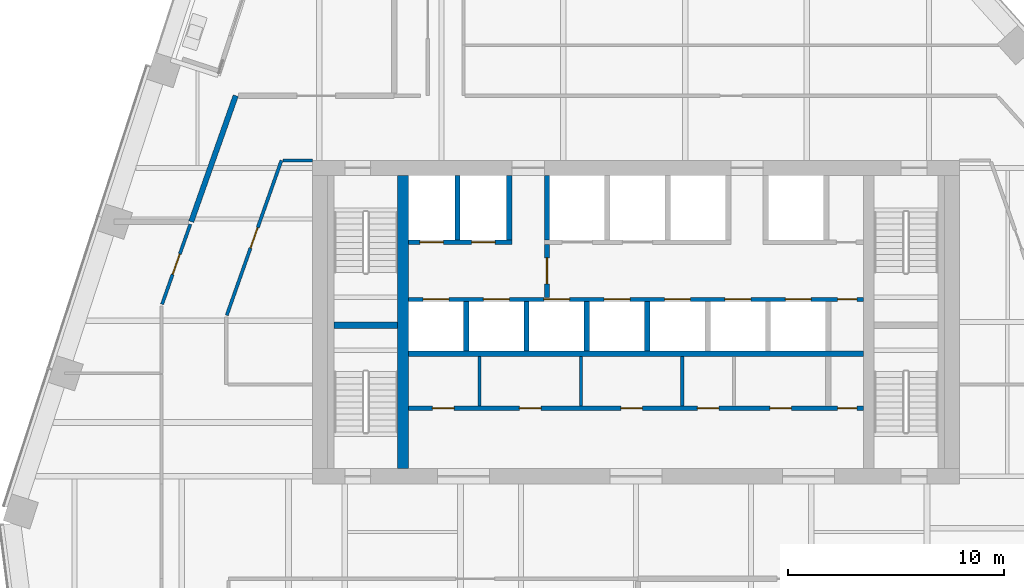
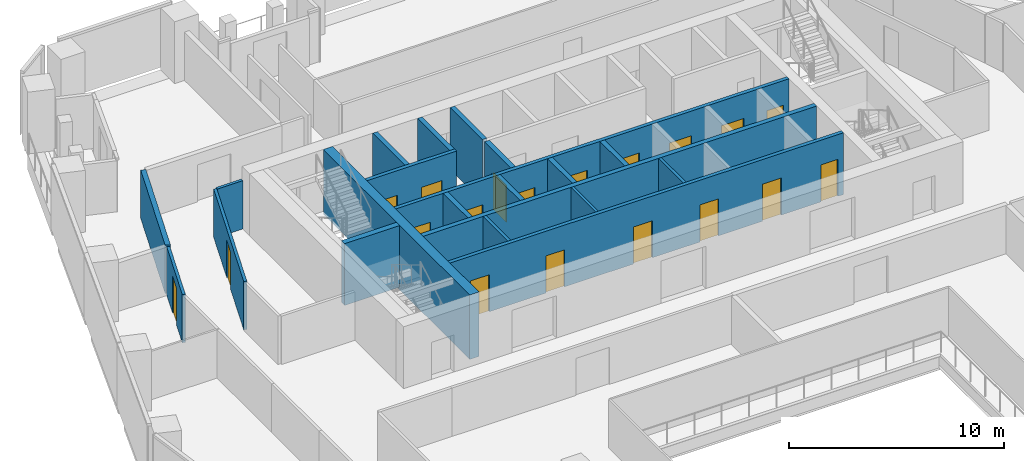
# One storey, part 20 of 26: 21 walls, 19 doors, 19 openings.
"""IFC4 building model written with IfcOpenShell, lengths in metres."""

from ifc_helpers import new_model, si_unit, direction, frame, frame_2d, origin, place, context, subcontext, project, spatial, rectangle, extrude, material, layer, layer_set, type_object, element, fill, save


model = new_model("IFC4")

# Units and contexts
model_context = context("Model", 3, precision=1e-05, world=origin(), true_north=direction((0.0, 1.0)))
body_context = subcontext(model_context, "Body", "Model", "MODEL_VIEW")
ifc_project = project(units=[si_unit("LENGTHUNIT", "METRE"), si_unit("AREAUNIT", "SQUARE_METRE"), si_unit("VOLUMEUNIT", "CUBIC_METRE"), si_unit("PLANEANGLEUNIT", "RADIAN"), si_unit("MASSUNIT", "GRAM", prefix="KILO")], contexts=[model_context])

# Site, building, storey
site_placement = place(None, origin())
site = spatial("IfcSite", under=ifc_project, at=site_placement, CompositionType="ELEMENT")
building_placement = place(site_placement, origin())
building = spatial("IfcBuilding", under=site, at=building_placement, Name="Isthmus Gate Tower", CompositionType="ELEMENT")
storey_placement = place(building_placement, frame((0.0, 0.0, 189.050048828125)))
storey = spatial("IfcBuildingStorey", under=building, at=storey_placement, Name="L47", CompositionType="ELEMENT", Elevation=189.050048828125)

# Wall
ifc_material_1 = material(Name="Double-leaf acoustic stud wall, fire-rated", Category="gypsum")
ifc_layer_1 = layer(ifc_material_1, 0.25)
ifc_layer_set_1 = layer_set([ifc_layer_1], Name="ACOUSTIC WALL 250 60 MIN")
wall_type_1 = type_object("IfcWallType", Name="ACOUSTIC WALL 250 60 MIN", PredefinedType="PARTITIONING", material=ifc_layer_set_1)
wall_1_placement = place(storey_placement, frame((-20.6240234375, 12.156005859375, 0.0), z_axis=(0.0, 0.0, 1.0), x_axis=(0.332877813913, 0.942969968241, 0.0)))
element("IfcWall", 1, at=wall_1_placement, inside=storey, type_object=wall_type_1, Name="L47 Acoustic Wall 250 60 Min", PredefinedType="PARTITIONING", context=body_context, shape_type="SweptSolid", body=[
    extrude(rectangle(XDim=6.197509765625, YDim=0.25, at=frame_2d((3.0986328125, 0.0))), origin(), (0.0, 0.0, 1.0), 2.7412109375),
])

# Wall, opening, door
ifc_material_2 = material(Name="Gypsum board on steel studs, fire-rated", Category="steel")
ifc_layer_2 = layer(ifc_material_2, 0.14990234375)
ifc_layer_set_2 = layer_set([ifc_layer_2], Name="CORRIDOR WALL 150 60 MIN")
wall_type_2 = type_object("IfcWallType", Name="CORRIDOR WALL 150 60 MIN", PredefinedType="PARTITIONING", material=ifc_layer_set_2)
wall_2_placement = place(storey_placement, frame((-16.43896484375, 15.0, 0.0), z_axis=(0.0, 0.0, 1.0), x_axis=(-0.332796656951, -0.942998613531, 0.0)))
wall_2 = element("IfcWall", 2, at=wall_2_placement, inside=storey, type_object=wall_type_2, Name="L47 Corridor Wall 150 60 Min", PredefinedType="PARTITIONING", context=body_context, shape_type="SweptSolid", body=[
    extrude(rectangle(XDim=7.62060546875, YDim=0.14990234375, at=frame_2d((3.810302734375, 0.0))), origin(), (0.0, 0.0, 1.0), 2.7412109375),
])
opening_1_placement = place(wall_2_placement, frame((3.310302734375, 0.0, 0.0)))
opening_1 = element("IfcOpeningElement", 3, at=opening_1_placement, cuts=wall_2, Name="Opening DT-T4B-04", PredefinedType="OPENING", context=body_context, shape_type="SweptSolid", body=[
    extrude(rectangle(XDim=1.0, YDim=2.10009765625, at=frame_2d((0.5, 1.050048828125))), frame((0.0, 0.0849609375, 0.0), z_axis=(0.0, -1.0, 0.0), x_axis=(1.0, 0.0, 0.0)), (0.0, 0.0, 1.0), 0.169921875),
])
ifc_material_3 = material(Name="Solid core timber door leaf, fire-rated", Category="wood")
door_type_1 = type_object("IfcDoorType", Name="FIRE DOOR ROOM 1000 X 2100 60 MIN", OperationType="SINGLE_SWING_LEFT", PredefinedType="DOOR", material=ifc_material_3)
door_1_placement = place(opening_1_placement, origin())
door_1 = element("IfcDoor", 4, at=door_1_placement, inside=storey, type_object=door_type_1, Name="L47 room door", OperationType="SINGLE_SWING_RIGHT", OverallHeight=2.10009765625, OverallWidth=1.0, PredefinedType="DOOR", context=body_context, shape_type="SweptSolid", body=[
    extrude(rectangle(XDim=1.0, YDim=2.10009765625, at=frame_2d((0.5, 1.050048828125))), frame((0.0, 0.02490234375, 0.0), z_axis=(0.0, -1.0, 0.0), x_axis=(1.0, 0.0, 0.0)), (0.0, 0.0, 1.0), 0.050048828125),
])
fill(opening_1, door_1)

# Wall
wall_3_placement = place(storey_placement, frame((-15.0, 15.0, 0.0), z_axis=(0.0, 0.0, 1.0), x_axis=(-1.0, 0.0, 0.0)))
element("IfcWall", 5, at=wall_3_placement, inside=storey, type_object=wall_type_2, Name="L47 Corridor Wall 150 60 Min", PredefinedType="PARTITIONING", context=body_context, shape_type="SweptSolid", body=[
    extrude(rectangle(XDim=1.364013671875, YDim=0.14990234375, at=frame_2d((0.68212890625, 0.0))), origin(), (0.0, 0.0, 1.0), 2.7412109375),
])

# Wall, opening, door
wall_4_placement = place(storey_placement, frame((-21.97509765625, 8.32763671875, 0.0), z_axis=(0.0, 0.0, 1.0), x_axis=(0.332820117735, 0.942990333583, 0.0)))
wall_4 = element("IfcWall", 6, at=wall_4_placement, inside=storey, type_object=wall_type_2, Name="L47 Corridor Wall 150 60 Min", PredefinedType="PARTITIONING", context=body_context, shape_type="SweptSolid", body=[
    extrude(rectangle(XDim=3.934814453125, YDim=0.14990234375, at=frame_2d((1.96728515625, 0.0))), origin(), (0.0, 0.0, 1.0), 2.7412109375),
])
opening_2_placement = place(wall_4_placement, frame((1.46728515625, 0.0, 0.0)))
opening_2 = element("IfcOpeningElement", 7, at=opening_2_placement, cuts=wall_4, Name="Opening DT-T4B-06", PredefinedType="OPENING", context=body_context, shape_type="SweptSolid", body=[
    extrude(rectangle(XDim=1.0, YDim=2.10009765625, at=frame_2d((0.5, 1.050048828125))), frame((0.0, 0.0849609375, 0.0), z_axis=(0.0, -1.0, 0.0), x_axis=(1.0, 0.0, 0.0)), (0.0, 0.0, 1.0), 0.169921875),
])
door_2_placement = place(opening_2_placement, origin())
door_2 = element("IfcDoor", 8, at=door_2_placement, inside=storey, type_object=door_type_1, Name="L47 room door", OperationType="SINGLE_SWING_RIGHT", OverallHeight=2.10009765625, OverallWidth=1.0, PredefinedType="DOOR", context=body_context, shape_type="SweptSolid", body=[
    extrude(rectangle(XDim=1.0, YDim=2.10009765625, at=frame_2d((0.5, 1.050048828125))), frame((0.0, 0.02490234375, 0.0), z_axis=(0.0, -1.0, 0.0), x_axis=(1.0, 0.0, 0.0)), (0.0, 0.0, 1.0), 0.050048828125),
])
fill(opening_2, door_2)

ifc_material_4 = material(Name="Fire-rated blockwork masonry, 15 MPa", Category="masonry")
ifc_layer_3 = layer(ifc_material_4, 0.25)
ifc_layer_set_3 = layer_set([ifc_layer_3], Name="FIRE-FIGHTING LOBBY WALL 250 90 MIN")
wall_type_3 = type_object("IfcWallType", Name="FIRE-FIGHTING LOBBY WALL 250 90 MIN", PredefinedType="PARTITIONING", material=ifc_layer_set_3)
wall_5_placement = place(storey_placement, frame((-4.125, 8.64990234375, 0.0), z_axis=(0.0, 0.0, 1.0), x_axis=(0.0, 1.0, 0.0)))
wall_5 = element("IfcWall", 9, at=wall_5_placement, inside=storey, type_object=wall_type_3, Name="L47 FIRE-FIGHTING LOBBY WALL 250 90 MIN", PredefinedType="PARTITIONING", context=body_context, shape_type="SweptSolid", body=[
    extrude(rectangle(XDim=2.4501953125, YDim=0.25, at=frame_2d((1.22509765625, 0.0))), origin(), (0.0, 0.0, 1.0), 3.5),
])
opening_3_placement = place(wall_5_placement, frame((0.625, 0.0, 0.0)))
opening_3 = element("IfcOpeningElement", 10, at=opening_3_placement, cuts=wall_5, Name="Opening DC-A10-01", PredefinedType="OPENING", context=body_context, shape_type="SweptSolid", body=[
    extrude(rectangle(XDim=1.199951171875, YDim=2.10009765625, at=frame_2d((0.60009765625, 1.050048828125))), frame((0.0, 0.135009765625, 0.0), z_axis=(0.0, -1.0, 0.0), x_axis=(1.0, 0.0, 0.0)), (0.0, 0.0, 1.0), 0.27001953125),
])
ifc_material_5 = material(Name="Steel door leaf, fire-rated", Category="steel")
door_type_2 = type_object("IfcDoorType", Name="LOBBY FIRE DOOR 1200 X 2100 90 MIN", OperationType="DOUBLE_DOOR_SINGLE_SWING", PredefinedType="DOOR", material=ifc_material_5)
door_3_placement = place(opening_3_placement, origin())
door_3 = element("IfcDoor", 11, at=door_3_placement, inside=storey, type_object=door_type_2, Name="Fire-fighting Lobby Door", OperationType="SINGLE_SWING_LEFT", OverallHeight=2.10009765625, OverallWidth=1.199951171875, PredefinedType="DOOR", context=body_context, shape_type="SweptSolid", body=[
    extrude(rectangle(XDim=1.199951171875, YDim=2.10009765625, at=frame_2d((0.60009765625, 1.050048828125))), frame((0.0, 0.02490234375, 0.0), z_axis=(0.0, -1.0, 0.0), x_axis=(1.0, 0.0, 0.0)), (0.0, 0.0, 1.0), 0.050048828125),
])
fill(opening_3, door_3)

# Walls
ifc_material_6 = material(Name="Concrete f'c 60 MPa", Category="concrete")
ifc_layer_4 = layer(ifc_material_6, 0.5)
ifc_layer_set_4 = layer_set([ifc_layer_4], Name="RC CORE SPINE WALL 500 F'C 60")
wall_type_4 = type_object("IfcWallType", Name="RC CORE SPINE WALL 500 F'C 60", PredefinedType="SOLIDWALL", material=ifc_layer_set_4)
wall_6_placement = place(storey_placement, frame((-10.800048828125, 0.699951171875, -0.150146484375), z_axis=(0.0, 0.0, 1.0), x_axis=(0.0, 1.0, 0.0)))
element("IfcWall", 12, at=wall_6_placement, inside=storey, type_object=wall_type_4, Name="str-corewall-L47-SPW", PredefinedType="SOLIDWALL", context=body_context, shape_type="SweptSolid", body=[
    extrude(rectangle(XDim=13.60009765625, YDim=0.5, at=frame_2d((6.800048828125, 0.0))), origin(), (0.0, 0.0, 1.0), 3.650146484375),
])
ifc_material_7 = material(Name="Gypsum board on steel studs, fire-rated", Category="steel")
ifc_layer_5 = layer(ifc_material_7, 0.14990234375)
ifc_layer_set_5 = layer_set([ifc_layer_5], Name="ROOM PARTITION 150 60 MIN")
wall_type_5 = type_object("IfcWallType", Name="ROOM PARTITION 150 60 MIN", PredefinedType="PARTITIONING", material=ifc_layer_set_5)
for number, where, z_axis, x_axis, name in (
    (13, (-7.25, 3.60009765625, 0.0), (0.0, 0.0, 1.0), (0.0, 1.0, 0.0), "L47 ROOM PARTITION 150 60 MIN"),
    (14, (-2.550048828125, 3.60009765625, 0.0), (0.0, 0.0, 1.0), (0.0, 1.0, 0.0), "L47 ROOM PARTITION 150 60 MIN"),
    (15, (2.14990234375, 3.60009765625, 0.0), (0.0, 0.0, 1.0), (0.0, 1.0, 0.0), "L47 ROOM PARTITION 150 60 MIN"),
):
    element("IfcWall", number, at=place(storey_placement, frame(where, z_axis=z_axis, x_axis=x_axis)), inside=storey, type_object=wall_type_5, Name=name, PredefinedType="PARTITIONING", context=body_context, shape_type="SweptSolid", body=[
        extrude(rectangle(XDim=2.2998046875, YDim=0.14990234375, at=frame_2d((1.14990234375, 0.0))), origin(), (0.0, 0.0, 1.0), 3.5),
    ])

# Wall, openings, doors
ifc_material_8 = material(Name="Fire-rated blockwork masonry, 15 MPa", Category="masonry")
ifc_layer_6 = layer(ifc_material_8, 0.199951171875)
ifc_layer_set_6 = layer_set([ifc_layer_6], Name="SHAFT FRONT WALL 200 120 MIN")
wall_type_6 = type_object("IfcWallType", Name="SHAFT FRONT WALL 200 120 MIN", PredefinedType="PARTITIONING", material=ifc_layer_set_6)
wall_7_placement = place(storey_placement, frame((-10.550048828125, 3.5, 0.0), z_axis=(0.0, 0.0, 1.0), x_axis=(1.0, 0.0, 0.0)))
wall_7 = element("IfcWall", 16, at=wall_7_placement, inside=storey, type_object=wall_type_6, Name="L47 SHAFT FRONT WALL 200 120 MIN", PredefinedType="PARTITIONING", context=body_context, shape_type="SweptSolid", body=[
    extrude(rectangle(XDim=21.10009765625, YDim=0.199951171875, at=frame_2d((10.550048828125, 0.0))), origin(), (0.0, 0.0, 1.0), 3.5),
])
opening_4_placement = place(wall_7_placement, frame((1.112548828125, 0.0, 0.0)))
opening_4 = element("IfcOpeningElement", 17, at=opening_4_placement, cuts=wall_7, Name="Opening DC-A10-02", PredefinedType="OPENING", context=body_context, shape_type="SweptSolid", body=[
    extrude(rectangle(XDim=1.0, YDim=2.10009765625, at=frame_2d((0.5, 1.050048828125))), frame((0.0, 0.10986328125, 0.0), z_axis=(0.0, -1.0, 0.0), x_axis=(1.0, 0.0, 0.0)), (0.0, 0.0, 1.0), 0.219970703125),
])
opening_5_placement = place(wall_7_placement, frame((5.14990234375, 0.0, 0.0)))
opening_5 = element("IfcOpeningElement", 18, at=opening_5_placement, cuts=wall_7, Name="Opening DC-A10-03", PredefinedType="OPENING", context=body_context, shape_type="SweptSolid", body=[
    extrude(rectangle(XDim=1.0, YDim=2.10009765625, at=frame_2d((0.5, 1.050048828125))), frame((0.0, 0.10986328125, 0.0), z_axis=(0.0, -1.0, 0.0), x_axis=(1.0, 0.0, 0.0)), (0.0, 0.0, 1.0), 0.219970703125),
])
opening_6_placement = place(wall_7_placement, frame((9.85009765625, 0.0, 0.0)))
opening_6 = element("IfcOpeningElement", 19, at=opening_6_placement, cuts=wall_7, Name="Opening DC-A10-04", PredefinedType="OPENING", context=body_context, shape_type="SweptSolid", body=[
    extrude(rectangle(XDim=1.0, YDim=2.10009765625, at=frame_2d((0.5, 1.050048828125))), frame((0.0, 0.10986328125, 0.0), z_axis=(0.0, -1.0, 0.0), x_axis=(1.0, 0.0, 0.0)), (0.0, 0.0, 1.0), 0.219970703125),
])
opening_7_placement = place(wall_7_placement, frame((13.39990234375, 0.0, 0.0)))
opening_7 = element("IfcOpeningElement", 20, at=opening_7_placement, cuts=wall_7, Name="Opening DC-A10-05", PredefinedType="OPENING", context=body_context, shape_type="SweptSolid", body=[
    extrude(rectangle(XDim=1.0, YDim=2.10009765625, at=frame_2d((0.5, 1.050048828125))), frame((0.0, 0.10986328125, 0.0), z_axis=(0.0, -1.0, 0.0), x_axis=(1.0, 0.0, 0.0)), (0.0, 0.0, 1.0), 0.219970703125),
])
opening_8_placement = place(wall_7_placement, frame((16.762451171875, 0.0, 0.0)))
opening_8 = element("IfcOpeningElement", 21, at=opening_8_placement, cuts=wall_7, Name="Opening DC-A10-06", PredefinedType="OPENING", context=body_context, shape_type="SweptSolid", body=[
    extrude(rectangle(XDim=1.0, YDim=2.10009765625, at=frame_2d((0.5, 1.050048828125))), frame((0.0, 0.10986328125, 0.0), z_axis=(0.0, -1.0, 0.0), x_axis=(1.0, 0.0, 0.0)), (0.0, 0.0, 1.0), 0.219970703125),
])
opening_9_placement = place(wall_7_placement, frame((19.89990234375, 0.0, 0.0)))
opening_9 = element("IfcOpeningElement", 22, at=opening_9_placement, cuts=wall_7, Name="Opening DC-A10-07", PredefinedType="OPENING", context=body_context, shape_type="SweptSolid", body=[
    extrude(rectangle(XDim=0.89990234375, YDim=2.10009765625, at=frame_2d((0.449951171875, 1.050048828125))), frame((0.0, 0.10986328125, 0.0), z_axis=(0.0, -1.0, 0.0), x_axis=(1.0, 0.0, 0.0)), (0.0, 0.0, 1.0), 0.219970703125),
])
ifc_material_9 = material(Name="Steel door leaf, fire-rated", Category="steel")
door_type_3 = type_object("IfcDoorType", Name="FIRE DOOR 1000 X 2100 60 MIN", OperationType="SINGLE_SWING_LEFT", PredefinedType="DOOR", material=ifc_material_9)
door_4_placement = place(opening_4_placement, origin())
door_4 = element("IfcDoor", 23, at=door_4_placement, inside=storey, type_object=door_type_3, Name="Janitor Store Door", OperationType="SINGLE_SWING_LEFT", OverallHeight=2.10009765625, OverallWidth=1.0, PredefinedType="DOOR", context=body_context, shape_type="SweptSolid", body=[
    extrude(rectangle(XDim=1.0, YDim=2.10009765625, at=frame_2d((0.5, 1.050048828125))), frame((0.0, 0.02490234375, 0.0), z_axis=(0.0, -1.0, 0.0), x_axis=(1.0, 0.0, 0.0)), (0.0, 0.0, 1.0), 0.050048828125),
])
fill(opening_4, door_4)
door_5_placement = place(opening_5_placement, origin())
door_5 = element("IfcDoor", 24, at=door_5_placement, inside=storey, type_object=door_type_3, Name="WC Women Door", OperationType="SINGLE_SWING_RIGHT", OverallHeight=2.10009765625, OverallWidth=1.0, PredefinedType="DOOR", context=body_context, shape_type="SweptSolid", body=[
    extrude(rectangle(XDim=1.0, YDim=2.10009765625, at=frame_2d((0.5, 1.050048828125))), frame((0.0, 0.02490234375, 0.0), z_axis=(0.0, -1.0, 0.0), x_axis=(1.0, 0.0, 0.0)), (0.0, 0.0, 1.0), 0.050048828125),
])
fill(opening_5, door_5)
door_6_placement = place(opening_6_placement, origin())
door_6 = element("IfcDoor", 25, at=door_6_placement, inside=storey, type_object=door_type_3, Name="WC Men Door", OperationType="SINGLE_SWING_LEFT", OverallHeight=2.10009765625, OverallWidth=1.0, PredefinedType="DOOR", context=body_context, shape_type="SweptSolid", body=[
    extrude(rectangle(XDim=1.0, YDim=2.10009765625, at=frame_2d((0.5, 1.050048828125))), frame((0.0, 0.02490234375, 0.0), z_axis=(0.0, -1.0, 0.0), x_axis=(1.0, 0.0, 0.0)), (0.0, 0.0, 1.0), 0.050048828125),
])
fill(opening_6, door_6)
door_7_placement = place(opening_7_placement, origin())
door_7 = element("IfcDoor", 26, at=door_7_placement, inside=storey, type_object=door_type_3, Name="Accessible WC Door", OperationType="SINGLE_SWING_RIGHT", OverallHeight=2.10009765625, OverallWidth=1.0, PredefinedType="DOOR", context=body_context, shape_type="SweptSolid", body=[
    extrude(rectangle(XDim=1.0, YDim=2.10009765625, at=frame_2d((0.5, 1.050048828125))), frame((0.0, 0.02490234375, 0.0), z_axis=(0.0, -1.0, 0.0), x_axis=(1.0, 0.0, 0.0)), (0.0, 0.0, 1.0), 0.050048828125),
])
fill(opening_7, door_7)
door_8_placement = place(opening_8_placement, origin())
door_8 = element("IfcDoor", 27, at=door_8_placement, inside=storey, type_object=door_type_3, Name="Print Room Door", OperationType="SINGLE_SWING_LEFT", OverallHeight=2.10009765625, OverallWidth=1.0, PredefinedType="DOOR", context=body_context, shape_type="SweptSolid", body=[
    extrude(rectangle(XDim=1.0, YDim=2.10009765625, at=frame_2d((0.5, 1.050048828125))), frame((0.0, 0.02490234375, 0.0), z_axis=(0.0, -1.0, 0.0), x_axis=(1.0, 0.0, 0.0)), (0.0, 0.0, 1.0), 0.050048828125),
])
fill(opening_8, door_8)
ifc_material_10 = material(Name="Steel door leaf, fire-rated", Category="steel")
door_type_4 = type_object("IfcDoorType", Name="RISER FIRE DOOR 900 X 2100 90 MIN", OperationType="SINGLE_SWING_LEFT", PredefinedType="DOOR", material=ifc_material_10)
door_9_placement = place(opening_9_placement, origin())
door_9 = element("IfcDoor", 28, at=door_9_placement, inside=storey, type_object=door_type_4, Name="Riser Door", OperationType="SINGLE_SWING_RIGHT", OverallHeight=2.10009765625, OverallWidth=0.89990234375, PredefinedType="DOOR", context=body_context, shape_type="SweptSolid", body=[
    extrude(rectangle(XDim=0.89990234375, YDim=2.10009765625, at=frame_2d((0.449951171875, 1.050048828125))), frame((0.0, 0.02490234375, 0.0), z_axis=(0.0, -1.0, 0.0), x_axis=(1.0, 0.0, 0.0)), (0.0, 0.0, 1.0), 0.050048828125),
])
fill(opening_9, door_9)

wall_8_placement = place(storey_placement, frame((-10.550048828125, 8.550048828125, 0.0), z_axis=(0.0, 0.0, 1.0), x_axis=(1.0, 0.0, 0.0)))
wall_8 = element("IfcWall", 29, at=wall_8_placement, inside=storey, type_object=wall_type_6, Name="L47 SHAFT FRONT WALL 200 120 MIN", PredefinedType="PARTITIONING", context=body_context, shape_type="SweptSolid", body=[
    extrude(rectangle(XDim=21.10009765625, YDim=0.199951171875, at=frame_2d((10.550048828125, 0.0))), origin(), (0.0, 0.0, 1.0), 3.5),
])
opening_10_placement = place(wall_8_placement, frame((0.675048828125, 0.0, 0.0)))
opening_10 = element("IfcOpeningElement", 30, at=opening_10_placement, cuts=wall_8, Name="Opening LD-LB1", PredefinedType="OPENING", context=body_context, shape_type="SweptSolid", body=[
    extrude(rectangle(XDim=1.199951171875, YDim=2.10009765625, at=frame_2d((0.60009765625, 1.050048828125))), frame((0.0, 0.10986328125, 0.0), z_axis=(0.0, -1.0, 0.0), x_axis=(1.0, 0.0, 0.0)), (0.0, 0.0, 1.0), 0.219970703125),
])
opening_11_placement = place(wall_8_placement, frame((3.47509765625, 0.0, 0.0)))
opening_11 = element("IfcOpeningElement", 31, at=opening_11_placement, cuts=wall_8, Name="Opening LD-LB2", PredefinedType="OPENING", context=body_context, shape_type="SweptSolid", body=[
    extrude(rectangle(XDim=1.199951171875, YDim=2.10009765625, at=frame_2d((0.60009765625, 1.050048828125))), frame((0.0, 0.10986328125, 0.0), z_axis=(0.0, -1.0, 0.0), x_axis=(1.0, 0.0, 0.0)), (0.0, 0.0, 1.0), 0.219970703125),
])
opening_12_placement = place(wall_8_placement, frame((6.27490234375, 0.0, 0.0)))
opening_12 = element("IfcOpeningElement", 32, at=opening_12_placement, cuts=wall_8, Name="Opening LD-LB3", PredefinedType="OPENING", context=body_context, shape_type="SweptSolid", body=[
    extrude(rectangle(XDim=1.199951171875, YDim=2.10009765625, at=frame_2d((0.60009765625, 1.050048828125))), frame((0.0, 0.10986328125, 0.0), z_axis=(0.0, -1.0, 0.0), x_axis=(1.0, 0.0, 0.0)), (0.0, 0.0, 1.0), 0.219970703125),
])
opening_13_placement = place(wall_8_placement, frame((9.074951171875, 0.0, 0.0)))
opening_13 = element("IfcOpeningElement", 33, at=opening_13_placement, cuts=wall_8, Name="Opening LD-LB4", PredefinedType="OPENING", context=body_context, shape_type="SweptSolid", body=[
    extrude(rectangle(XDim=1.199951171875, YDim=2.10009765625, at=frame_2d((0.60009765625, 1.050048828125))), frame((0.0, 0.10986328125, 0.0), z_axis=(0.0, -1.0, 0.0), x_axis=(1.0, 0.0, 0.0)), (0.0, 0.0, 1.0), 0.219970703125),
])
opening_14_placement = place(wall_8_placement, frame((11.875, 0.0, 0.0)))
opening_14 = element("IfcOpeningElement", 34, at=opening_14_placement, cuts=wall_8, Name="Opening LD-LB5", PredefinedType="OPENING", context=body_context, shape_type="SweptSolid", body=[
    extrude(rectangle(XDim=1.199951171875, YDim=2.10009765625, at=frame_2d((0.60009765625, 1.050048828125))), frame((0.0, 0.10986328125, 0.0), z_axis=(0.0, -1.0, 0.0), x_axis=(1.0, 0.0, 0.0)), (0.0, 0.0, 1.0), 0.219970703125),
])
opening_15_placement = place(wall_8_placement, frame((14.675048828125, 0.0, 0.0)))
opening_15 = element("IfcOpeningElement", 35, at=opening_15_placement, cuts=wall_8, Name="Opening LD-LB6", PredefinedType="OPENING", context=body_context, shape_type="SweptSolid", body=[
    extrude(rectangle(XDim=1.199951171875, YDim=2.10009765625, at=frame_2d((0.60009765625, 1.050048828125))), frame((0.0, 0.10986328125, 0.0), z_axis=(0.0, -1.0, 0.0), x_axis=(1.0, 0.0, 0.0)), (0.0, 0.0, 1.0), 0.219970703125),
])
opening_16_placement = place(wall_8_placement, frame((17.47509765625, 0.0, 0.0)))
opening_16 = element("IfcOpeningElement", 36, at=opening_16_placement, cuts=wall_8, Name="Opening LD-LB7", PredefinedType="OPENING", context=body_context, shape_type="SweptSolid", body=[
    extrude(rectangle(XDim=1.199951171875, YDim=2.10009765625, at=frame_2d((0.60009765625, 1.050048828125))), frame((0.0, 0.10986328125, 0.0), z_axis=(0.0, -1.0, 0.0), x_axis=(1.0, 0.0, 0.0)), (0.0, 0.0, 1.0), 0.219970703125),
])
opening_17_placement = place(wall_8_placement, frame((19.89990234375, 0.0, 0.0)))
opening_17 = element("IfcOpeningElement", 37, at=opening_17_placement, cuts=wall_8, Name="Opening DC-A10-08", PredefinedType="OPENING", context=body_context, shape_type="SweptSolid", body=[
    extrude(rectangle(XDim=0.89990234375, YDim=2.10009765625, at=frame_2d((0.449951171875, 1.050048828125))), frame((0.0, 0.10986328125, 0.0), z_axis=(0.0, -1.0, 0.0), x_axis=(1.0, 0.0, 0.0)), (0.0, 0.0, 1.0), 0.219970703125),
])
ifc_material_11 = material(Name="Stainless steel sliding leaf", Category="steel")
door_type_5 = type_object("IfcDoorType", Name="LIFT LANDING FIRE DOOR 1200 X 2100 90 MIN", OperationType="DOUBLE_DOOR_SLIDING", PredefinedType="DOOR", material=ifc_material_11)
door_10_placement = place(opening_10_placement, origin())
door_10 = element("IfcDoor", 38, at=door_10_placement, inside=storey, type_object=door_type_5, Name="Lift Landing Door LB1", OperationType="DOUBLE_DOOR_SLIDING", OverallHeight=2.10009765625, OverallWidth=1.199951171875, PredefinedType="DOOR", context=body_context, shape_type="SweptSolid", body=[
    extrude(rectangle(XDim=1.199951171875, YDim=2.10009765625, at=frame_2d((0.60009765625, 1.050048828125))), frame((0.0, 0.02490234375, 0.0), z_axis=(0.0, -1.0, 0.0), x_axis=(1.0, 0.0, 0.0)), (0.0, 0.0, 1.0), 0.050048828125),
])
fill(opening_10, door_10)
door_11_placement = place(opening_11_placement, origin())
door_11 = element("IfcDoor", 39, at=door_11_placement, inside=storey, type_object=door_type_5, Name="Lift Landing Door LB2", OperationType="DOUBLE_DOOR_SLIDING", OverallHeight=2.10009765625, OverallWidth=1.199951171875, PredefinedType="DOOR", context=body_context, shape_type="SweptSolid", body=[
    extrude(rectangle(XDim=1.199951171875, YDim=2.10009765625, at=frame_2d((0.60009765625, 1.050048828125))), frame((0.0, 0.02490234375, 0.0), z_axis=(0.0, -1.0, 0.0), x_axis=(1.0, 0.0, 0.0)), (0.0, 0.0, 1.0), 0.050048828125),
])
fill(opening_11, door_11)
door_12_placement = place(opening_12_placement, origin())
door_12 = element("IfcDoor", 40, at=door_12_placement, inside=storey, type_object=door_type_5, Name="Lift Landing Door LB3", OperationType="DOUBLE_DOOR_SLIDING", OverallHeight=2.10009765625, OverallWidth=1.199951171875, PredefinedType="DOOR", context=body_context, shape_type="SweptSolid", body=[
    extrude(rectangle(XDim=1.199951171875, YDim=2.10009765625, at=frame_2d((0.60009765625, 1.050048828125))), frame((0.0, 0.02490234375, 0.0), z_axis=(0.0, -1.0, 0.0), x_axis=(1.0, 0.0, 0.0)), (0.0, 0.0, 1.0), 0.050048828125),
])
fill(opening_12, door_12)
door_13_placement = place(opening_13_placement, origin())
door_13 = element("IfcDoor", 41, at=door_13_placement, inside=storey, type_object=door_type_5, Name="Lift Landing Door LB4", OperationType="DOUBLE_DOOR_SLIDING", OverallHeight=2.10009765625, OverallWidth=1.199951171875, PredefinedType="DOOR", context=body_context, shape_type="SweptSolid", body=[
    extrude(rectangle(XDim=1.199951171875, YDim=2.10009765625, at=frame_2d((0.60009765625, 1.050048828125))), frame((0.0, 0.02490234375, 0.0), z_axis=(0.0, -1.0, 0.0), x_axis=(1.0, 0.0, 0.0)), (0.0, 0.0, 1.0), 0.050048828125),
])
fill(opening_13, door_13)
door_14_placement = place(opening_14_placement, origin())
door_14 = element("IfcDoor", 42, at=door_14_placement, inside=storey, type_object=door_type_5, Name="Lift Landing Door LB5", OperationType="DOUBLE_DOOR_SLIDING", OverallHeight=2.10009765625, OverallWidth=1.199951171875, PredefinedType="DOOR", context=body_context, shape_type="SweptSolid", body=[
    extrude(rectangle(XDim=1.199951171875, YDim=2.10009765625, at=frame_2d((0.60009765625, 1.050048828125))), frame((0.0, 0.02490234375, 0.0), z_axis=(0.0, -1.0, 0.0), x_axis=(1.0, 0.0, 0.0)), (0.0, 0.0, 1.0), 0.050048828125),
])
fill(opening_14, door_14)
door_15_placement = place(opening_15_placement, origin())
door_15 = element("IfcDoor", 43, at=door_15_placement, inside=storey, type_object=door_type_5, Name="Lift Landing Door LB6", OperationType="DOUBLE_DOOR_SLIDING", OverallHeight=2.10009765625, OverallWidth=1.199951171875, PredefinedType="DOOR", context=body_context, shape_type="SweptSolid", body=[
    extrude(rectangle(XDim=1.199951171875, YDim=2.10009765625, at=frame_2d((0.60009765625, 1.050048828125))), frame((0.0, 0.02490234375, 0.0), z_axis=(0.0, -1.0, 0.0), x_axis=(1.0, 0.0, 0.0)), (0.0, 0.0, 1.0), 0.050048828125),
])
fill(opening_15, door_15)
door_16_placement = place(opening_16_placement, origin())
door_16 = element("IfcDoor", 44, at=door_16_placement, inside=storey, type_object=door_type_5, Name="Lift Landing Door LB7", OperationType="DOUBLE_DOOR_SLIDING", OverallHeight=2.10009765625, OverallWidth=1.199951171875, PredefinedType="DOOR", context=body_context, shape_type="SweptSolid", body=[
    extrude(rectangle(XDim=1.199951171875, YDim=2.10009765625, at=frame_2d((0.60009765625, 1.050048828125))), frame((0.0, 0.02490234375, 0.0), z_axis=(0.0, -1.0, 0.0), x_axis=(1.0, 0.0, 0.0)), (0.0, 0.0, 1.0), 0.050048828125),
])
fill(opening_16, door_16)
door_17_placement = place(opening_17_placement, origin())
door_17 = element("IfcDoor", 45, at=door_17_placement, inside=storey, type_object=door_type_4, Name="Riser Door", OperationType="SINGLE_SWING_RIGHT", OverallHeight=2.10009765625, OverallWidth=0.89990234375, PredefinedType="DOOR", context=body_context, shape_type="SweptSolid", body=[
    extrude(rectangle(XDim=0.89990234375, YDim=2.10009765625, at=frame_2d((0.449951171875, 1.050048828125))), frame((0.0, 0.02490234375, 0.0), z_axis=(0.0, -1.0, 0.0), x_axis=(1.0, 0.0, 0.0)), (0.0, 0.0, 1.0), 0.050048828125),
])
fill(opening_17, door_17)

wall_9_placement = place(storey_placement, frame((-10.550048828125, 11.199951171875, 0.0), z_axis=(0.0, 0.0, 1.0), x_axis=(1.0, 0.0, 0.0)))
wall_9 = element("IfcWall", 46, at=wall_9_placement, inside=storey, type_object=wall_type_6, Name="L47 SHAFT FRONT WALL 200 120 MIN", PredefinedType="PARTITIONING", context=body_context, shape_type="SweptSolid", body=[
    extrude(rectangle(XDim=4.800048828125, YDim=0.199951171875, at=frame_2d((2.39990234375, 0.0))), origin(), (0.0, 0.0, 1.0), 3.5),
])
opening_18_placement = place(wall_9_placement, frame((0.52490234375, 0.0, 0.0)))
opening_18 = element("IfcOpeningElement", 47, at=opening_18_placement, cuts=wall_9, Name="Opening LD-LF1", PredefinedType="OPENING", context=body_context, shape_type="SweptSolid", body=[
    extrude(rectangle(XDim=1.10009765625, YDim=2.10009765625, at=frame_2d((0.550048828125, 1.050048828125))), frame((0.0, 0.10986328125, 0.0), z_axis=(0.0, -1.0, 0.0), x_axis=(1.0, 0.0, 0.0)), (0.0, 0.0, 1.0), 0.219970703125),
])
opening_19_placement = place(wall_9_placement, frame((2.925048828125, 0.0, 0.0)))
opening_19 = element("IfcOpeningElement", 48, at=opening_19_placement, cuts=wall_9, Name="Opening LD-LF2", PredefinedType="OPENING", context=body_context, shape_type="SweptSolid", body=[
    extrude(rectangle(XDim=1.10009765625, YDim=2.10009765625, at=frame_2d((0.550048828125, 1.050048828125))), frame((0.0, 0.10986328125, 0.0), z_axis=(0.0, -1.0, 0.0), x_axis=(1.0, 0.0, 0.0)), (0.0, 0.0, 1.0), 0.219970703125),
])
ifc_material_12 = material(Name="Stainless steel sliding leaf", Category="steel")
door_type_6 = type_object("IfcDoorType", Name="LIFT LANDING FIRE DOOR 1100 X 2100 90 MIN", OperationType="DOUBLE_DOOR_SLIDING", PredefinedType="DOOR", material=ifc_material_12)
door_18_placement = place(opening_18_placement, origin())
door_18 = element("IfcDoor", 49, at=door_18_placement, inside=storey, type_object=door_type_6, Name="Lift Landing Door LF1", OperationType="DOUBLE_DOOR_SLIDING", OverallHeight=2.10009765625, OverallWidth=1.10009765625, PredefinedType="DOOR", context=body_context, shape_type="SweptSolid", body=[
    extrude(rectangle(XDim=1.10009765625, YDim=2.10009765625, at=frame_2d((0.550048828125, 1.050048828125))), frame((0.0, 0.02490234375, 0.0), z_axis=(0.0, -1.0, 0.0), x_axis=(1.0, 0.0, 0.0)), (0.0, 0.0, 1.0), 0.050048828125),
])
fill(opening_18, door_18)
door_19_placement = place(opening_19_placement, origin())
door_19 = element("IfcDoor", 50, at=door_19_placement, inside=storey, type_object=door_type_6, Name="Lift Landing Door LF2", OperationType="DOUBLE_DOOR_SLIDING", OverallHeight=2.10009765625, OverallWidth=1.10009765625, PredefinedType="DOOR", context=body_context, shape_type="SweptSolid", body=[
    extrude(rectangle(XDim=1.10009765625, YDim=2.10009765625, at=frame_2d((0.550048828125, 1.050048828125))), frame((0.0, 0.02490234375, 0.0), z_axis=(0.0, -1.0, 0.0), x_axis=(1.0, 0.0, 0.0)), (0.0, 0.0, 1.0), 0.050048828125),
])
fill(opening_19, door_19)

# Walls
ifc_material_13 = material(Name="Fire-rated blockwork masonry, 15 MPa", Category="masonry")
ifc_layer_7 = layer(ifc_material_13, 0.25)
ifc_layer_set_7 = layer_set([ifc_layer_7], Name="SHAFT WALL 250 120 MIN")
wall_type_7 = type_object("IfcWallType", Name="SHAFT WALL 250 120 MIN", PredefinedType="PARTITIONING", material=ifc_layer_set_7)
wall_10_placement = place(storey_placement, frame((-10.550048828125, 6.02490234375, 0.0), z_axis=(0.0, 0.0, 1.0), x_axis=(1.0, 0.0, 0.0)))
element("IfcWall", 51, at=wall_10_placement, inside=storey, type_object=wall_type_7, Name="L47 SHAFT WALL 250 120 MIN", PredefinedType="PARTITIONING", context=body_context, shape_type="SweptSolid", body=[
    extrude(rectangle(XDim=21.10009765625, YDim=0.25, at=frame_2d((10.550048828125, 0.0))), origin(), (0.0, 0.0, 1.0), 3.5),
])
for number, where, z_axis, x_axis, name in (
    (52, (-7.875, 6.14990234375, 0.0), (0.0, 0.0, 1.0), (0.0, 1.0, 0.0), "L47 SHAFT WALL 250 120 MIN"),
    (53, (-5.074951171875, 6.14990234375, 0.0), (0.0, 0.0, 1.0), (0.0, 1.0, 0.0), "L47 SHAFT WALL 250 120 MIN"),
    (54, (-2.27490234375, 6.14990234375, 0.0), (0.0, 0.0, 1.0), (0.0, 1.0, 0.0), "L47 SHAFT WALL 250 120 MIN"),
    (55, (0.52490234375, 6.14990234375, 0.0), (0.0, 0.0, 1.0), (0.0, 1.0, 0.0), "L47 SHAFT WALL 250 120 MIN"),
):
    element("IfcWall", number, at=place(storey_placement, frame(where, z_axis=z_axis, x_axis=x_axis)), inside=storey, type_object=wall_type_7, Name=name, PredefinedType="PARTITIONING", context=body_context, shape_type="SweptSolid", body=[
        extrude(rectangle(XDim=2.300048828125, YDim=0.25, at=frame_2d((1.14990234375, 0.0))), origin(), (0.0, 0.0, 1.0), 3.5),
    ])
for number, where, z_axis, x_axis, name in (
    (56, (-8.27490234375, 11.300048828125, 0.0), (0.0, 0.0, 1.0), (0.0, 1.0, 0.0), "L47 SHAFT WALL 250 120 MIN"),
    (57, (-5.875, 11.300048828125, 0.0), (0.0, 0.0, 1.0), (0.0, 1.0, 0.0), "L47 SHAFT WALL 250 120 MIN"),
    (58, (-4.125, 11.300048828125, 0.0), (0.0, 0.0, 1.0), (0.0, 1.0, 0.0), "L47 SHAFT WALL 250 120 MIN"),
):
    element("IfcWall", number, at=place(storey_placement, frame(where, z_axis=z_axis, x_axis=x_axis)), inside=storey, type_object=wall_type_7, Name=name, PredefinedType="PARTITIONING", context=body_context, shape_type="SweptSolid", body=[
        extrude(rectangle(XDim=3.0, YDim=0.25, at=frame_2d((1.5, 0.0))), origin(), (0.0, 0.0, 1.0), 3.5),
    ])
ifc_material_14 = material(Name="Concrete f'c 40 MPa", Category="concrete")
ifc_layer_8 = layer(ifc_material_14, 0.300048828125)
ifc_layer_set_8 = layer_set([ifc_layer_8], Name="STAIR ENCLOSURE WALL 300 180 MIN")
wall_type_8 = type_object("IfcWallType", Name="STAIR ENCLOSURE WALL 300 180 MIN", PredefinedType="SOLIDWALL", material=ifc_layer_set_8)
wall_11_placement = place(storey_placement, frame((-14.0, 7.35009765625, 0.0), z_axis=(0.0, 0.0, 1.0), x_axis=(1.0, 0.0, 0.0)))
element("IfcWall", 59, at=wall_11_placement, inside=storey, type_object=wall_type_8, Name="L47 STAIR ENCLOSURE WALL 300 180 MIN", PredefinedType="SOLIDWALL", context=body_context, shape_type="SweptSolid", body=[
    extrude(rectangle(XDim=2.949951171875, YDim=0.300048828125, at=frame_2d((1.47509765625, 0.0))), origin(), (0.0, 0.0, 1.0), 3.5),
])

save(model, "model.ifc")
